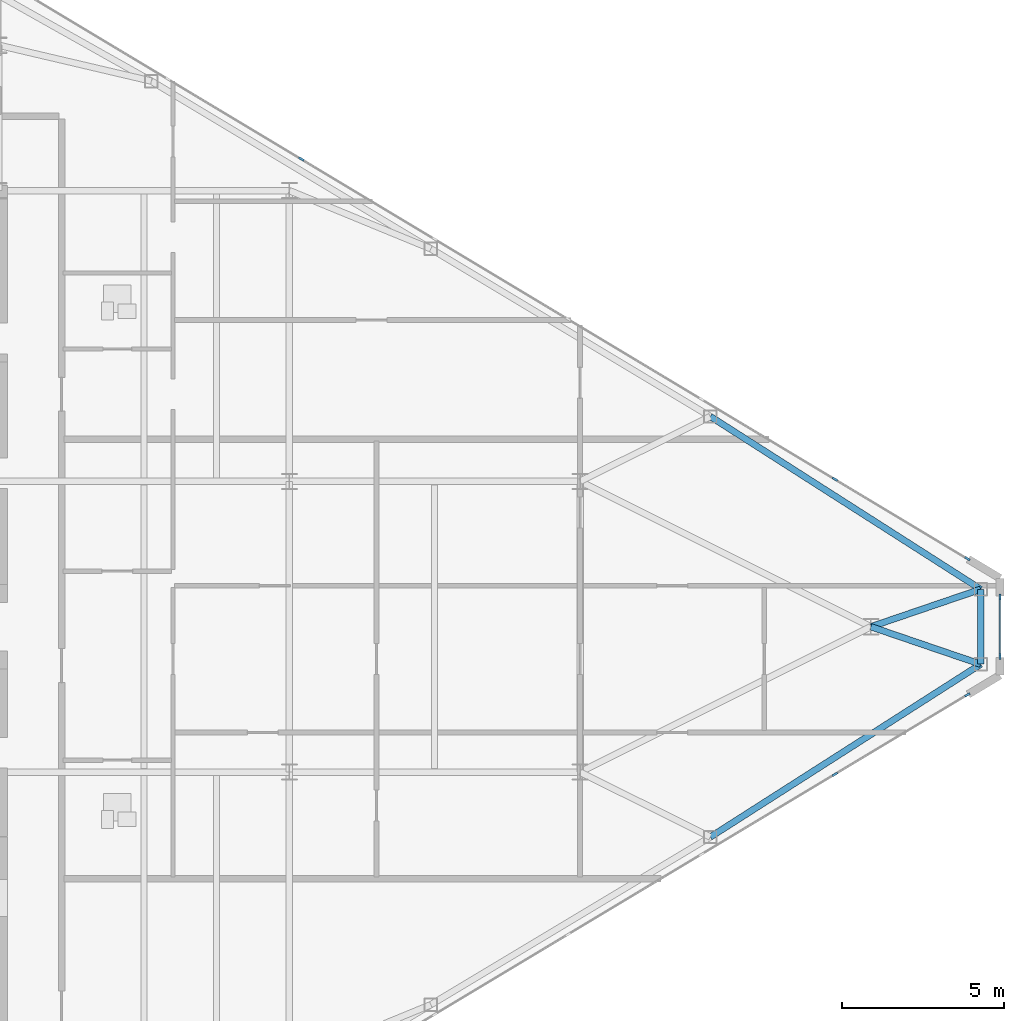
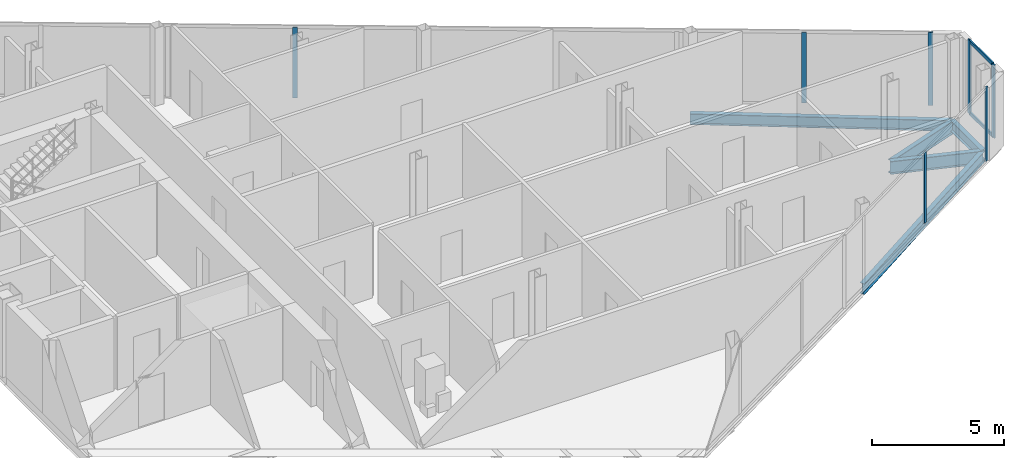
# One storey, part 17 of 26: 9 members, 5 beams, 3 elements without a shape of their own.
"""IFC4 building model written with IfcOpenShell, lengths in metres."""

from ifc_helpers import new_model, si_unit, direction, frame, origin, origin_2d, place, context, subcontext, project, spatial, rectangle, i_section, extrude, source, transform, mapped, material, layer, layer_set, material_profile, profile_set, type_object, type_shapes, element, aggregate, save


model = new_model("IFC4")

# Units and contexts
model_context = context("Model", 3, precision=1e-05, world=origin(), true_north=direction((0.0, 1.0)))
body_context = subcontext(model_context, "Body", "Model", "MODEL_VIEW")
ifc_project = project(units=[si_unit("LENGTHUNIT", "METRE"), si_unit("AREAUNIT", "SQUARE_METRE"), si_unit("VOLUMEUNIT", "CUBIC_METRE"), si_unit("PLANEANGLEUNIT", "RADIAN"), si_unit("MASSUNIT", "GRAM", prefix="KILO")], contexts=[model_context])

# Site, building, storey
site_placement = place(None, origin())
site = spatial("IfcSite", under=ifc_project, at=site_placement, CompositionType="ELEMENT")
building_placement = place(site_placement, origin())
building = spatial("IfcBuilding", under=site, at=building_placement, Name="Seokmaru Belvedere", CompositionType="ELEMENT")
storey_placement = place(building_placement, frame((0.0, 0.0, 199.5)))
storey = spatial("IfcBuildingStorey", under=building, at=storey_placement, Name="L53", CompositionType="ELEMENT", Elevation=199.5)

# Beams
ifc_material_1 = material(Name="Steel SM355 (355 MPa)", Category="steel")
ifc_material_profile_1 = material_profile(ifc_material_1, i_section(OverallWidth=0.199951171875, OverallDepth=0.5, WebThickness=0.010009765625, FlangeThickness=0.01611328125, at=origin_2d()), Name="H-500x200x10x16")
ifc_profile_set_1 = profile_set([ifc_material_profile_1], Name="Steel SM355 (355 MPa)")
beam_type_1 = type_object("IfcBeamType", Name="Perimeter Spandrel Beam H-500", PredefinedType="SPANDREL", material=ifc_profile_set_1)
shared_shape_1 = source(origin(), body_context, "Body", "SweptSolid", [
    extrude(i_section(OverallWidth=0.199951171875, OverallDepth=0.5, WebThickness=0.010009765625, FlangeThickness=0.01611328125, at=origin_2d()), origin(), (0.0, 0.0, 1.0), 9.932861328125),
])
for number, where, z_axis, x_axis, name in (
    (1, (58.530029296875, -6.5087890625, -0.469970703125), (0.842651960357, 0.538458609093, 0.0), (-0.538458609093, 0.842651960357, 0.0), "L53 E Faceted Flank Spandrel S-4"),
    (2, (58.530029296875, 6.5087890625, -0.469970703125), (0.842651960357, -0.538458609093, 0.0), (0.538458609093, 0.842651960357, 0.0), "L53 E Faceted Flank Spandrel N-4"),
):
    element("IfcBeam", number, at=place(storey_placement, frame(where, z_axis=z_axis, x_axis=x_axis)), inside=storey, type_object=beam_type_1, Name=name, PredefinedType="SPANDREL", context=body_context, shape_type="MappedRepresentation", body=[
        mapped(shared_shape_1, transform((0.0, 0.0, 0.0), scale=1.0)),
    ])
shared_shape_2 = source(origin(), body_context, "Body", "SweptSolid", [
    extrude(i_section(OverallWidth=0.199951171875, OverallDepth=0.5, WebThickness=0.010009765625, FlangeThickness=0.01611328125, at=origin_2d()), origin(), (0.0, 0.0, 1.0), 2.32080078125),
])
type_shapes(beam_type_1, [shared_shape_1, shared_shape_2])
beam_placement = place(storey_placement, frame((66.89990234375, -1.160400390625, -0.469970703125), z_axis=(0.0, 1.0, 0.0), x_axis=(-1.0, 0.0, 0.0)))
element("IfcBeam", 3, at=beam_placement, inside=storey, type_object=beam_type_1, Name="L53 E Faceted Apex Spandrel", PredefinedType="SPANDREL", context=body_context, shape_type="MappedRepresentation", body=[
    mapped(shared_shape_2, transform((0.0, 0.0, 0.0), scale=1.0)),
])
ifc_material_profile_2 = material_profile(ifc_material_1, i_section(OverallWidth=0.199951171875, OverallDepth=0.60009765625, WebThickness=0.010986328125, FlangeThickness=0.01708984375, at=origin_2d()), Name="H-600x200x11x17")
ifc_profile_set_2 = profile_set([ifc_material_profile_2], Name="Steel SM355 (355 MPa)")
beam_type_2 = type_object("IfcBeamType", Name="Primary Floor Girder H-600", PredefinedType="BEAM", material=ifc_profile_set_2)
shared_shape_3 = source(origin(), body_context, "Body", "SweptSolid", [
    extrude(i_section(OverallWidth=0.199951171875, OverallDepth=0.60009765625, WebThickness=0.010986328125, FlangeThickness=0.01708984375, at=origin_2d()), origin(), (0.0, 0.0, 1.0), 3.592529296875),
])
type_shapes(beam_type_2, [shared_shape_3])
for number, where, z_axis, x_axis, name in (
    (4, (66.89990234375, -1.160400390625, -0.52001953125), (-0.946395973048, 0.323008764893, 0.0), (-0.323008764893, -0.946395973048, 0.0), "L53 E Apex Radial Floor Girder 1"),
    (5, (66.89990234375, 1.160400390625, -0.52001953125), (-0.946395973048, -0.323008764893, 0.0), (0.323008764893, -0.946395973048, 0.0), "L53 E Apex Radial Floor Girder 2"),
):
    element("IfcBeam", number, at=place(storey_placement, frame(where, z_axis=z_axis, x_axis=x_axis)), inside=storey, type_object=beam_type_2, Name=name, PredefinedType="BEAM", context=body_context, shape_type="MappedRepresentation", body=[
        mapped(shared_shape_3, transform((0.0, 0.0, 0.0), scale=1.0)),
    ])

# Curtain wall, member
ifc_material_2 = material(Name="Bronze Triple Insulating Glass", Category="glass")
ifc_layer = layer(ifc_material_2, 0.179931640625)
ifc_layer_set = layer_set([ifc_layer], Name="Bronze Triple Insulating Glass")
curtain_wall_type = type_object("IfcCurtainWallType", Name="High-Rise Wind-Corner Curtain Wall System CW-5", PredefinedType="NOTDEFINED", material=ifc_layer_set)
curtain_wall_1_placement = place(storey_placement, origin())
curtain_wall_1 = element("IfcCurtainWall", 6, at=curtain_wall_1_placement, inside=storey, type_object=curtain_wall_type, Name="L53 Curtain Wall EF1", PredefinedType="NOTDEFINED")
ifc_material_3 = material(Name="Anodised Bronze Aluminium", Category="aluminium")
ifc_material_profile_3 = material_profile(ifc_material_3, rectangle(XDim=0.06494140625, YDim=0.179931640625, at=origin_2d()), Name="CW-M-65x180")
ifc_profile_set_3 = profile_set([ifc_material_profile_3], Name="Anodised Bronze Aluminium")
member_type_1 = type_object("IfcMemberType", Name="Bronze Unitised Mullion 65x180", PredefinedType="MULLION", material=ifc_profile_set_3)
shared_shape_4 = source(origin(), body_context, "Body", "SweptSolid", [
    extrude(rectangle(XDim=0.06494140625, YDim=0.179931640625, at=origin_2d()), origin(), (0.0, 0.0, 1.0), 3.3798828125),
])
member_1_placement = place(storey_placement, frame((66.486083984375, -2.1083984375, 0.0), z_axis=(0.0, 0.0, 1.0), x_axis=(-0.514494909364, 0.85749343335, 0.0)))
member_1 = element("IfcMember", 7, at=member_1_placement, type_object=member_type_1, Name="CW:L53:EF1 Mullion 9", PredefinedType="MULLION", context=body_context, shape_type="MappedRepresentation", body=[
    mapped(shared_shape_4, transform((0.0, 0.0, 0.0), scale=1.0)),
])

# Curtain wall, members
curtain_wall_2_placement = place(storey_placement, origin())
curtain_wall_2 = element("IfcCurtainWall", 8, at=curtain_wall_2_placement, inside=storey, type_object=curtain_wall_type, Name="L53 Curtain Wall EF2", PredefinedType="NOTDEFINED")
member_2_placement = place(storey_placement, frame((67.5, -0.91748046875, 0.0), z_axis=(0.0, 0.0, 1.0), x_axis=(-1.0, 0.0, 0.0)))
member_2 = element("IfcMember", 9, at=member_2_placement, type_object=member_type_1, Name="CW:L53:EF2 Mullion 1", PredefinedType="MULLION", context=body_context, shape_type="MappedRepresentation", body=[
    mapped(shared_shape_4, transform((0.0, 0.0, 0.0), scale=1.0)),
])
member_3_placement = place(storey_placement, frame((67.5, 0.91748046875, 0.0), z_axis=(0.0, 0.0, 1.0), x_axis=(-1.0, 0.0, 0.0)))
member_3 = element("IfcMember", 10, at=member_3_placement, type_object=member_type_1, Name="CW:L53:EF2 Mullion 2", PredefinedType="MULLION", context=body_context, shape_type="MappedRepresentation", body=[
    mapped(shared_shape_4, transform((0.0, 0.0, 0.0), scale=1.0)),
])

# Curtain wall, member
curtain_wall_3_placement = place(storey_placement, origin())
curtain_wall_3 = element("IfcCurtainWall", 11, at=curtain_wall_3_placement, inside=storey, type_object=curtain_wall_type, Name="L53 Curtain Wall EF3", PredefinedType="NOTDEFINED")
member_4_placement = place(storey_placement, frame((66.486083984375, 2.1083984375, 0.0), z_axis=(0.0, 0.0, 1.0), x_axis=(-0.514494909364, -0.85749343335, 0.0)))
member_4 = element("IfcMember", 12, at=member_4_placement, type_object=member_type_1, Name="CW:L53:EF3 Mullion 1", PredefinedType="MULLION", context=body_context, shape_type="MappedRepresentation", body=[
    mapped(shared_shape_4, transform((0.0, 0.0, 0.0), scale=1.0)),
])

# Member
shared_shape_5 = source(origin(), body_context, "Body", "SweptSolid", [
    extrude(rectangle(XDim=0.06494140625, YDim=0.179931640625, at=origin_2d()), origin(), (0.0, 0.0, 1.0), 3.25),
])
type_shapes(member_type_1, [shared_shape_4, shared_shape_5])
member_5_placement = place(storey_placement, frame((62.385498046875, -4.56884765625, 0.06494140625), z_axis=(0.0, 0.0, 1.0), x_axis=(-0.514494909364, 0.85749343335, 0.0)))
member_5 = element("IfcMember", 13, at=member_5_placement, type_object=member_type_1, Name="CW:L53:EF1 Mullion 8", PredefinedType="MULLION", context=body_context, shape_type="MappedRepresentation", body=[
    mapped(shared_shape_5, transform((0.0, 0.0, 0.0), scale=1.0)),
])

aggregate(curtain_wall_1, [member_5, member_1])

member_6_placement = place(storey_placement, frame((62.385498046875, 4.56884765625, 0.06494140625), z_axis=(0.0, 0.0, 1.0), x_axis=(-0.514494909364, -0.85749343335, 0.0)))
member_6 = element("IfcMember", 14, at=member_6_placement, type_object=member_type_1, Name="CW:L53:EF3 Mullion 2", PredefinedType="MULLION", context=body_context, shape_type="MappedRepresentation", body=[
    mapped(shared_shape_5, transform((0.0, 0.0, 0.0), scale=1.0)),
])

member_7_placement = place(storey_placement, frame((45.87158203125, 14.47705078125, 0.06494140625), z_axis=(0.0, 0.0, 1.0), x_axis=(-0.514494909364, -0.85749343335, 0.0)))
member_7 = element("IfcMember", 15, at=member_7_placement, type_object=member_type_1, Name="CW:L53:EF3 Mullion 6", PredefinedType="MULLION", context=body_context, shape_type="MappedRepresentation", body=[
    mapped(shared_shape_5, transform((0.0, 0.0, 0.0), scale=1.0)),
])

aggregate(curtain_wall_3, [member_4, member_6, member_7])

ifc_material_profile_4 = material_profile(ifc_material_3, rectangle(XDim=0.06494140625, YDim=0.14990234375, at=origin_2d()), Name="CW-T-65x150")
ifc_profile_set_4 = profile_set([ifc_material_profile_4], Name="Anodised Bronze Aluminium")
member_type_2 = type_object("IfcMemberType", Name="Bronze Unitised Transom 65x150", PredefinedType="USERDEFINED", material=ifc_profile_set_4)
shared_shape_6 = source(origin(), body_context, "Body", "SweptSolid", [
    extrude(rectangle(XDim=0.06494140625, YDim=0.14990234375, at=origin_2d()), origin(), (0.0, 0.0, 1.0), 1.77001953125),
])
type_shapes(member_type_2, [shared_shape_6])
member_8_placement = place(storey_placement, frame((67.5, -0.885009765625, 0.032470703125), z_axis=(0.0, 1.0, 0.0), x_axis=(-1.0, 0.0, 0.0)))
member_8 = element("IfcMember", 16, at=member_8_placement, type_object=member_type_2, Name="CW:L53:EF2 Continuous Transom 1", ObjectType="TRANSOM", PredefinedType="USERDEFINED", context=body_context, shape_type="MappedRepresentation", body=[
    mapped(shared_shape_6, transform((0.0, 0.0, 0.0), scale=1.0)),
])

member_9_placement = place(storey_placement, frame((67.5, -0.885009765625, 3.347412109375), z_axis=(0.0, 1.0, 0.0), x_axis=(-1.0, 0.0, 0.0)))
member_9 = element("IfcMember", 17, at=member_9_placement, type_object=member_type_2, Name="CW:L53:EF2 Continuous Transom 2", ObjectType="TRANSOM", PredefinedType="USERDEFINED", context=body_context, shape_type="MappedRepresentation", body=[
    mapped(shared_shape_6, transform((0.0, 0.0, 0.0), scale=1.0)),
])

aggregate(curtain_wall_2, [member_2, member_3, member_8, member_9])

save(model, "model.ifc")
